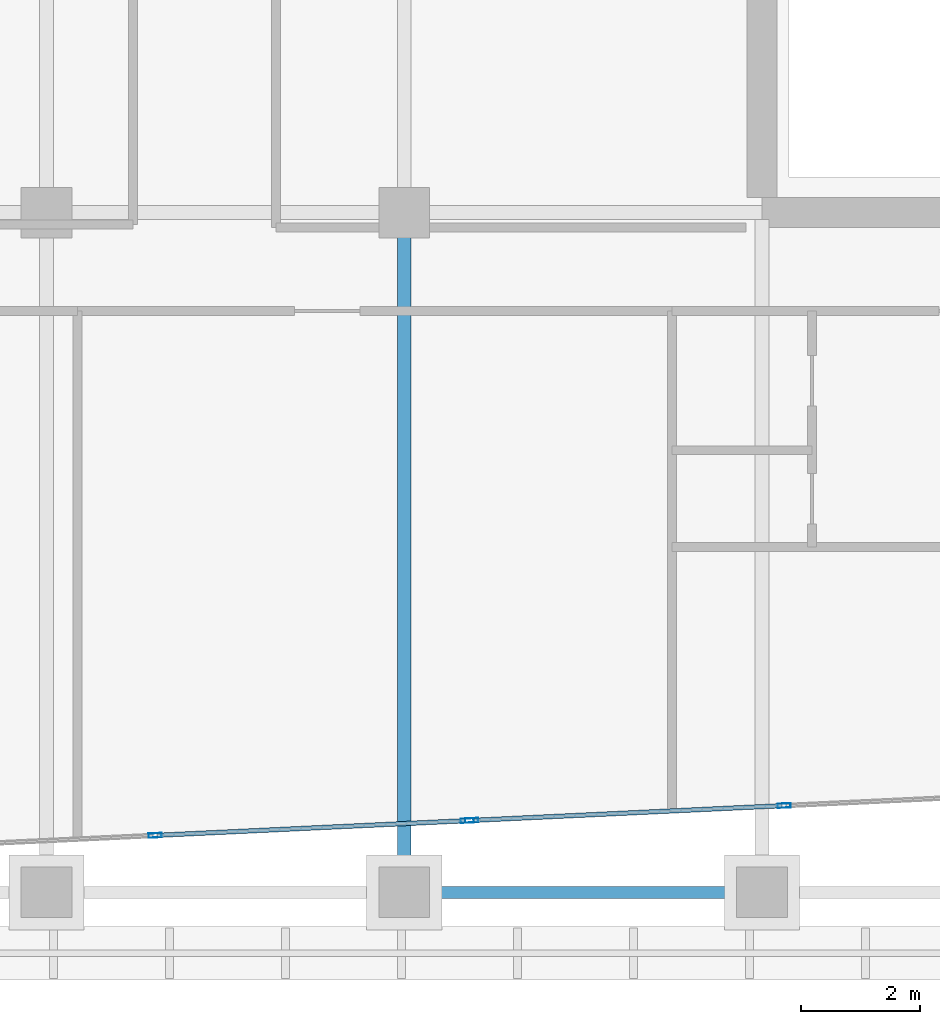
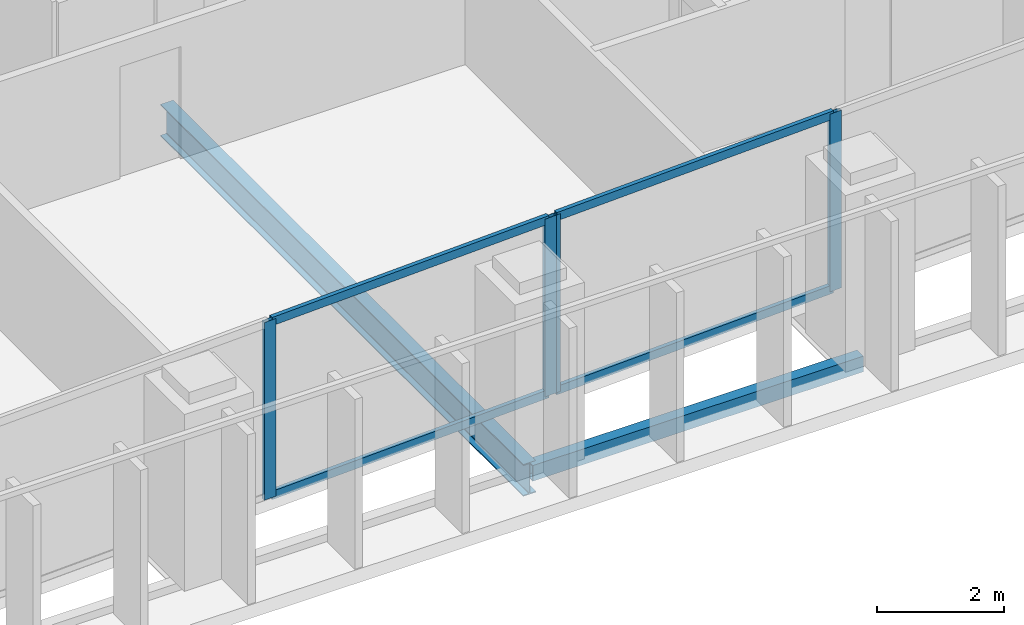
# One storey, part 7 of 29: 8 members, 2 beams, 2 elements without a shape of their own.
"""IFC4 building model written with IfcOpenShell, lengths in metres."""

from ifc_helpers import new_model, si_unit, direction, frame, origin, origin_2d, place, context, subcontext, project, spatial, hollow_rectangle, i_section, extrude, material, layer, layer_set, material_profile, profile_set, type_object, element, aggregate, save


model = new_model("IFC4")

# Units and contexts
model_context = context("Model", 3, precision=1e-05, world=origin(), true_north=direction((0.0, 1.0)))
body_context = subcontext(model_context, "Body", "Model", "MODEL_VIEW")
ifc_project = project(units=[si_unit("LENGTHUNIT", "METRE"), si_unit("AREAUNIT", "SQUARE_METRE"), si_unit("VOLUMEUNIT", "CUBIC_METRE"), si_unit("PLANEANGLEUNIT", "RADIAN"), si_unit("MASSUNIT", "GRAM", prefix="KILO")], contexts=[model_context])

# Site, building, storey
site_placement = place(None, origin())
site = spatial("IfcSite", under=ifc_project, at=site_placement, CompositionType="ELEMENT")
building_placement = place(site_placement, origin())
building = spatial("IfcBuilding", under=site, at=building_placement, Name="Tanjung Sevakor Pilgrim Tower", CompositionType="ELEMENT")
storey_placement = place(building_placement, frame((0.0, 0.0, 162.030029296875)))
storey = spatial("IfcBuildingStorey", under=building, at=storey_placement, Name="L45", CompositionType="ELEMENT", Elevation=162.030029296875)

# Beams
ifc_material_1 = material(Name="Steel S355J2", Category="steel")
ifc_material_profile_1 = material_profile(ifc_material_1, i_section(OverallWidth=0.22900390625, OverallDepth=0.6123046875, WebThickness=0.011962890625, FlangeThickness=0.01953125, FilletRadius=0.0126953125, at=origin_2d()))
ifc_profile_set_1 = profile_set([ifc_material_profile_1], Name="Steel S355J2")
beam_type_1 = type_object("IfcBeamType", Name="BM-B-G4-UB_610x229x125", PredefinedType="BEAM", material=ifc_profile_set_1)
beam_1_placement = place(storey_placement, frame((72.0, 13.199951171875, -0.526123046875), z_axis=(0.0, 1.0, 0.0), x_axis=(-1.0, 0.0, 0.0)))
element("IfcBeam", 1, at=beam_1_placement, inside=storey, type_object=beam_type_1, Name="L45 MAIN Girder 020", PredefinedType="BEAM", context=body_context, shape_type="SweptSolid", body=[
    extrude(i_section(OverallWidth=0.22900390625, OverallDepth=0.6123046875, WebThickness=0.011962890625, FlangeThickness=0.01953125, FilletRadius=0.0126953125, at=origin_2d()), origin(), (0.0, 0.0, 1.0), 11.400146484375),
])
ifc_material_2 = material(Name="Steel S355J2", Category="steel")
ifc_material_profile_2 = material_profile(ifc_material_2, hollow_rectangle(XDim=0.199951171875, YDim=0.300048828125, WallThickness=0.012451171875, at=origin_2d()))
ifc_profile_set_2 = profile_set([ifc_material_profile_2], Name="Steel S355J2")
beam_type_2 = type_object("IfcBeamType", Name="BM-B-SP3-RHS_300x200x12.5", PredefinedType="SPANDREL", material=ifc_profile_set_2)
beam_2_placement = place(storey_placement, frame((72.0, 13.199951171875, -0.3701171875), z_axis=(1.0, 0.0, 0.0), x_axis=(0.0, 1.0, 0.0)))
element("IfcBeam", 2, at=beam_2_placement, inside=storey, type_object=beam_type_2, Name="L45 Spandrel MAIN S-13", PredefinedType="SPANDREL", context=body_context, shape_type="SweptSolid", body=[
    extrude(hollow_rectangle(XDim=0.199951171875, YDim=0.300048828125, WallThickness=0.012451171875, at=origin_2d()), origin(), (0.0, 0.0, 1.0), 6.0),
])

# Curtain wall, members
ifc_material_3 = material(Name="Aluminium 6063-T6 and Low-E Glass", Category="aluminium")
ifc_layer = layer(ifc_material_3, 0.199951171875)
ifc_layer_set = layer_set([ifc_layer], Name="CW-SYS-PRAY")
curtain_wall_type = type_object("IfcCurtainWallType", Name="CW-SYS-PRAY", PredefinedType="NOTDEFINED", material=ifc_layer_set)
curtain_wall_1_placement = place(storey_placement, origin())
curtain_wall_1 = element("IfcCurtainWall", 3, at=curtain_wall_1_placement, inside=storey, type_object=curtain_wall_type, Name="L45 Curtain Wall CW-PRY-L45-10", PredefinedType="NOTDEFINED")
ifc_material_4 = material(Name="Aluminium 6063-T6", Category="aluminium")
ifc_material_profile_3 = material_profile(ifc_material_4, hollow_rectangle(XDim=0.074951171875, YDim=0.219970703125, WallThickness=0.0048828125, at=origin_2d()))
ifc_profile_set_3 = profile_set([ifc_material_profile_3], Name="Aluminium 6063-T6")
member_type_1 = type_object("IfcMemberType", Name="TYPE-CWM-2", PredefinedType="MULLION", material=ifc_profile_set_3)
member_1_placement = place(storey_placement, frame((67.822021484375, 14.155029296875, 0.0), z_axis=(0.0, 0.0, 1.0), x_axis=(-0.047347754412, 0.998878466157, 0.0)))
member_1 = element("IfcMember", 4, at=member_1_placement, type_object=member_type_1, Name="CW-PRY mullion 2", PredefinedType="MULLION", context=body_context, shape_type="SweptSolid", body=[
    extrude(hollow_rectangle(XDim=0.074951171875, YDim=0.219970703125, WallThickness=0.0048828125, at=origin_2d()), origin(), (0.0, 0.0, 1.0), 3.409912109375),
])
member_2_placement = place(storey_placement, frame((73.056640625, 14.403076171875, 0.0), z_axis=(0.0, 0.0, 1.0), x_axis=(-0.047347754412, 0.998878466157, 0.0)))
member_2 = element("IfcMember", 5, at=member_2_placement, type_object=member_type_1, Name="CW-PRY mullion 3", PredefinedType="MULLION", context=body_context, shape_type="SweptSolid", body=[
    extrude(hollow_rectangle(XDim=0.074951171875, YDim=0.219970703125, WallThickness=0.0048828125, at=origin_2d()), origin(), (0.0, 0.0, 1.0), 3.409912109375),
])

curtain_wall_2_placement = place(storey_placement, origin())
curtain_wall_2 = element("IfcCurtainWall", 6, at=curtain_wall_2_placement, inside=storey, type_object=curtain_wall_type, Name="L45 Curtain Wall CW-PRY-L45-11", PredefinedType="NOTDEFINED")
member_3_placement = place(storey_placement, frame((73.131591796875, 14.40673828125, 0.0), z_axis=(0.0, 0.0, 1.0), x_axis=(-0.04733271113, 0.998879179109, 0.0)))
member_3 = element("IfcMember", 7, at=member_3_placement, type_object=member_type_1, Name="CW-PRY mullion 1", PredefinedType="MULLION", context=body_context, shape_type="SweptSolid", body=[
    extrude(hollow_rectangle(XDim=0.074951171875, YDim=0.219970703125, WallThickness=0.0048828125, at=origin_2d()), origin(), (0.0, 0.0, 1.0), 3.409912109375),
])
member_4_placement = place(storey_placement, frame((78.3720703125, 14.655029296875, 0.0), z_axis=(0.0, 0.0, 1.0), x_axis=(-0.04733271113, 0.998879179109, 0.0)))
member_4 = element("IfcMember", 8, at=member_4_placement, type_object=member_type_1, Name="CW-PRY mullion 2", PredefinedType="MULLION", context=body_context, shape_type="SweptSolid", body=[
    extrude(hollow_rectangle(XDim=0.074951171875, YDim=0.219970703125, WallThickness=0.0048828125, at=origin_2d()), origin(), (0.0, 0.0, 1.0), 3.409912109375),
])

# Member
ifc_material_5 = material(Name="Aluminium 6063-T6", Category="aluminium")
ifc_material_profile_4 = material_profile(ifc_material_5, hollow_rectangle(XDim=0.074951171875, YDim=0.159912109375, WallThickness=0.00439453125, at=origin_2d()))
ifc_profile_set_4 = profile_set([ifc_material_profile_4], Name="Aluminium 6063-T6")
member_type_2 = type_object("IfcMemberType", Name="TYPE-CWT-2", PredefinedType="USERDEFINED", material=ifc_profile_set_4)
member_5_placement = place(storey_placement, frame((67.859619140625, 14.15673828125, 0.037353515625), z_axis=(0.998877954121, 0.04735855541, 0.0), x_axis=(-0.04735855541, 0.998877954121, 0.0)))
member_5 = element("IfcMember", 9, at=member_5_placement, type_object=member_type_2, Name="CW-PRY transom 2.1", ObjectType="TRANSOM", PredefinedType="USERDEFINED", context=body_context, shape_type="SweptSolid", body=[
    extrude(hollow_rectangle(XDim=0.074951171875, YDim=0.159912109375, WallThickness=0.00439453125, at=origin_2d()), origin(), (0.0, 0.0, 1.0), 5.16552734375),
])

member_6_placement = place(storey_placement, frame((67.859619140625, 14.15673828125, 3.37255859375), z_axis=(0.998877954121, 0.04735855541, 0.0), x_axis=(-0.04735855541, 0.998877954121, 0.0)))
member_6 = element("IfcMember", 10, at=member_6_placement, type_object=member_type_2, Name="CW-PRY transom 2.2", ObjectType="TRANSOM", PredefinedType="USERDEFINED", context=body_context, shape_type="SweptSolid", body=[
    extrude(hollow_rectangle(XDim=0.074951171875, YDim=0.159912109375, WallThickness=0.00439453125, at=origin_2d()), origin(), (0.0, 0.0, 1.0), 5.16552734375),
])

aggregate(curtain_wall_1, [member_1, member_2, member_5, member_6])

member_7_placement = place(storey_placement, frame((73.1689453125, 14.408447265625, 0.037353515625), z_axis=(0.998878262033, 0.047352060536, 0.0), x_axis=(-0.047352060536, 0.998878262033, 0.0)))
member_7 = element("IfcMember", 11, at=member_7_placement, type_object=member_type_2, Name="CW-PRY transom 1.1", ObjectType="TRANSOM", PredefinedType="USERDEFINED", context=body_context, shape_type="SweptSolid", body=[
    extrude(hollow_rectangle(XDim=0.074951171875, YDim=0.159912109375, WallThickness=0.00439453125, at=origin_2d()), origin(), (0.0, 0.0, 1.0), 5.17138671875),
])

member_8_placement = place(storey_placement, frame((73.1689453125, 14.408447265625, 3.37255859375), z_axis=(0.998878262033, 0.047352060536, 0.0), x_axis=(-0.047352060536, 0.998878262033, 0.0)))
member_8 = element("IfcMember", 12, at=member_8_placement, type_object=member_type_2, Name="CW-PRY transom 1.2", ObjectType="TRANSOM", PredefinedType="USERDEFINED", context=body_context, shape_type="SweptSolid", body=[
    extrude(hollow_rectangle(XDim=0.074951171875, YDim=0.159912109375, WallThickness=0.00439453125, at=origin_2d()), origin(), (0.0, 0.0, 1.0), 5.17138671875),
])

aggregate(curtain_wall_2, [member_3, member_4, member_7, member_8])

save(model, "model.ifc")
